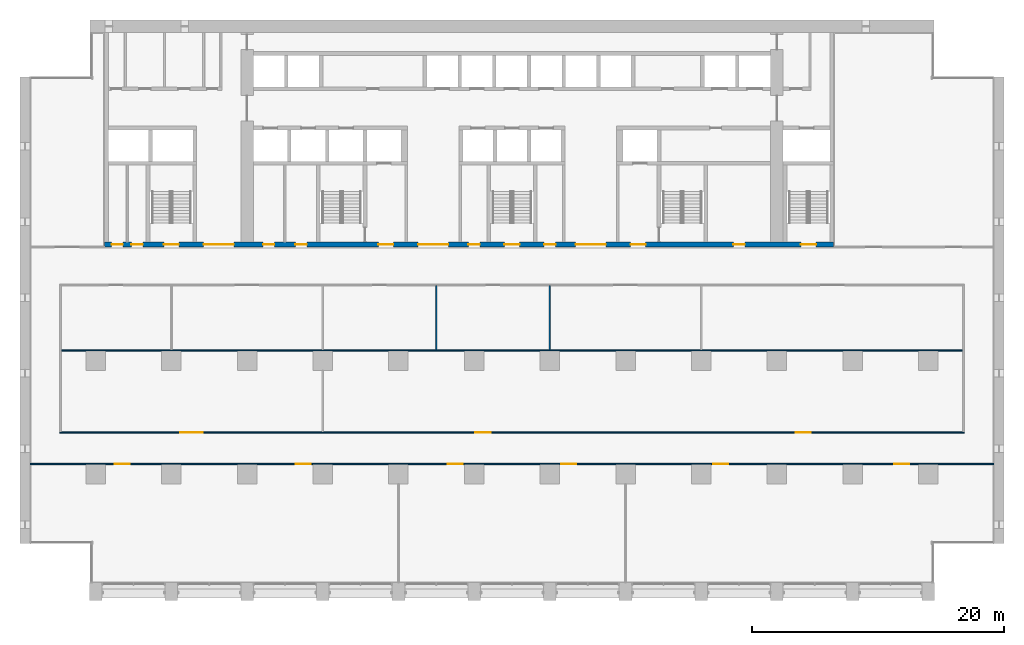
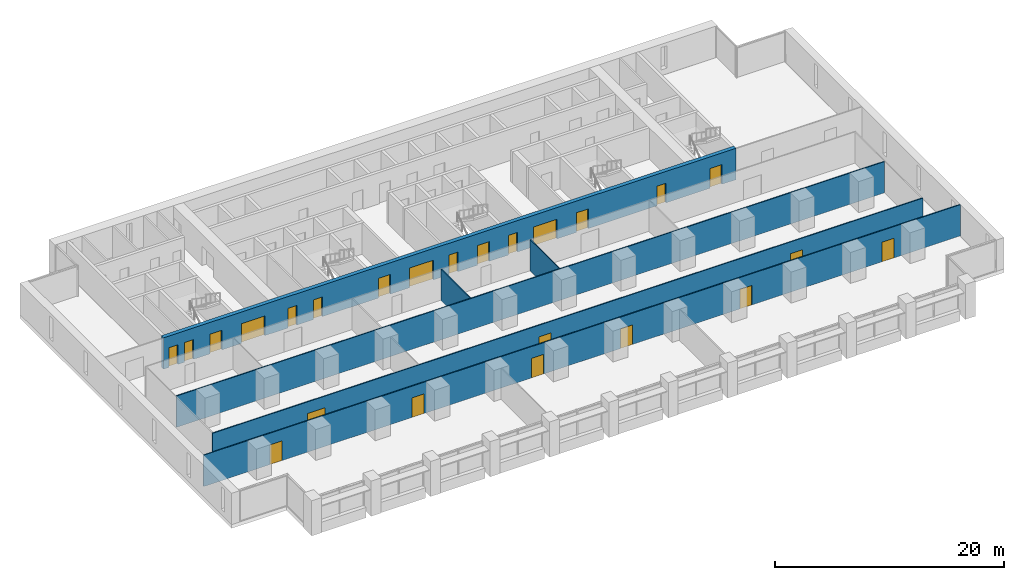
# One storey, part 9 of 17: 24 doors, 6 walls, 24 openings.
"""IFC4 building model written with IfcOpenShell, lengths in metres."""

from ifc_helpers import new_model, si_unit, direction, frame, frame_2d, origin, place, context, subcontext, project, spatial, rectangle, extrude, material, layer, layer_set, type_object, element, fill, save


model = new_model("IFC4")

# Units and contexts
model_context = context("Model", 3, precision=1e-05, world=origin(), true_north=direction((0.0, 1.0)))
body_context = subcontext(model_context, "Body", "Model", "MODEL_VIEW")
ifc_project = project(units=[si_unit("LENGTHUNIT", "METRE"), si_unit("AREAUNIT", "SQUARE_METRE"), si_unit("VOLUMEUNIT", "CUBIC_METRE"), si_unit("PLANEANGLEUNIT", "RADIAN"), si_unit("MASSUNIT", "GRAM", prefix="KILO")], contexts=[model_context])

# Site, building, storey
site_placement = place(None, origin())
site = spatial("IfcSite", under=ifc_project, at=site_placement, CompositionType="ELEMENT")
building_placement = place(site_placement, origin())
building = spatial("IfcBuilding", under=site, at=building_placement, Name="Calvaro Tower", CompositionType="ELEMENT")
storey_placement = place(building_placement, frame((0.0, 0.0, 71.25)))
storey = spatial("IfcBuildingStorey", under=building, at=storey_placement, Name="L17", CompositionType="ELEMENT", Elevation=71.25)

# Wall, openings, doors
ifc_material_1 = material(Name="Concrete C80/95", Category="concrete")
ifc_layer_1 = layer(ifc_material_1, 0.39990234375)
ifc_layer_set_1 = layer_set([ifc_layer_1], Name="Concrete C80/95")
wall_type_1 = type_object("IfcWallType", Name="Core wall C80/95 400", PredefinedType="SHEAR", material=ifc_layer_set_1)
wall_1_placement = place(storey_placement, frame((6.699951171875, 28.199951171875, 0.0), z_axis=(0.0, 0.0, 1.0), x_axis=(1.0, 0.0, 0.0)))
wall_1 = element("IfcWall", 1, at=wall_1_placement, inside=storey, type_object=wall_type_1, Name="Core wall, front", PredefinedType="SHEAR", context=body_context, shape_type="SweptSolid", body=[
    extrude(rectangle(XDim=57.800048828125, YDim=0.39990234375, at=frame_2d((28.89990234375, 0.0))), origin(), (0.0, 0.0, 1.0), 3.35009765625),
])
opening_1_placement = place(wall_1_placement, frame((12.5625, 0.0, 0.0)))
opening_1 = element("IfcOpeningElement", 2, at=opening_1_placement, cuts=wall_1, Name="Opening RD9E", PredefinedType="OPENING", context=body_context, shape_type="SweptSolid", body=[
    extrude(rectangle(XDim=0.89990234375, YDim=2.10009765625, at=frame_2d((0.449951171875, 1.050048828125))), frame((0.0, 0.2099609375, 0.0), z_axis=(0.0, -1.0, 0.0), x_axis=(1.0, 0.0, 0.0)), (0.0, 0.0, 1.0), 0.419921875),
])
opening_2_placement = place(wall_1_placement, frame((15.137451171875, 0.0, 0.0)))
opening_2 = element("IfcOpeningElement", 3, at=opening_2_placement, cuts=wall_1, Name="Opening RD9C", PredefinedType="OPENING", context=body_context, shape_type="SweptSolid", body=[
    extrude(rectangle(XDim=0.89990234375, YDim=2.10009765625, at=frame_2d((0.449951171875, 1.050048828125))), frame((0.0, 0.2099609375, 0.0), z_axis=(0.0, -1.0, 0.0), x_axis=(1.0, 0.0, 0.0)), (0.0, 0.0, 1.0), 0.419921875),
])
opening_3_placement = place(wall_1_placement, frame((49.85009765625, 0.0, 0.0)))
opening_3 = element("IfcOpeningElement", 4, at=opening_3_placement, cuts=wall_1, Name="Opening RD9E", PredefinedType="OPENING", context=body_context, shape_type="SweptSolid", body=[
    extrude(rectangle(XDim=0.89990234375, YDim=2.10009765625, at=frame_2d((0.449951171875, 1.050048828125))), frame((0.0, 0.2099609375, 0.0), z_axis=(0.0, -1.0, 0.0), x_axis=(1.0, 0.0, 0.0)), (0.0, 0.0, 1.0), 0.419921875),
])
opening_4_placement = place(wall_1_placement, frame((0.5625, 0.0, 0.0)))
opening_4 = element("IfcOpeningElement", 5, at=opening_4_placement, cuts=wall_1, Name="Opening RD9C", PredefinedType="OPENING", context=body_context, shape_type="SweptSolid", body=[
    extrude(rectangle(XDim=0.89990234375, YDim=2.10009765625, at=frame_2d((0.449951171875, 1.050048828125))), frame((0.0, 0.2099609375, 0.0), z_axis=(0.0, -1.0, 0.0), x_axis=(1.0, 0.0, 0.0)), (0.0, 0.0, 1.0), 0.419921875),
])
opening_5_placement = place(wall_1_placement, frame((2.137451171875, 0.0, 0.0)))
opening_5 = element("IfcOpeningElement", 6, at=opening_5_placement, cuts=wall_1, Name="Opening RD9E", PredefinedType="OPENING", context=body_context, shape_type="SweptSolid", body=[
    extrude(rectangle(XDim=0.89990234375, YDim=2.10009765625, at=frame_2d((0.449951171875, 1.050048828125))), frame((0.0, 0.2099609375, 0.0), z_axis=(0.0, -1.0, 0.0), x_axis=(1.0, 0.0, 0.0)), (0.0, 0.0, 1.0), 0.419921875),
])
opening_6_placement = place(wall_1_placement, frame((4.699951171875, 0.0, 0.0)))
opening_6 = element("IfcOpeningElement", 7, at=opening_6_placement, cuts=wall_1, Name="Opening SD12D", PredefinedType="OPENING", context=body_context, shape_type="SweptSolid", body=[
    extrude(rectangle(XDim=1.199951171875, YDim=2.10009765625, at=frame_2d((0.60009765625, 1.050048828125))), frame((0.0, 0.2099609375, 0.0), z_axis=(0.0, -1.0, 0.0), x_axis=(1.0, 0.0, 0.0)), (0.0, 0.0, 1.0), 0.419921875),
])
opening_7_placement = place(wall_1_placement, frame((31.699951171875, 0.0, 0.0)))
opening_7 = element("IfcOpeningElement", 8, at=opening_7_placement, cuts=wall_1, Name="Opening SD12D", PredefinedType="OPENING", context=body_context, shape_type="SweptSolid", body=[
    extrude(rectangle(XDim=1.199951171875, YDim=2.10009765625, at=frame_2d((0.60009765625, 1.050048828125))), frame((0.0, 0.2099609375, 0.0), z_axis=(0.0, -1.0, 0.0), x_axis=(1.0, 0.0, 0.0)), (0.0, 0.0, 1.0), 0.419921875),
])
opening_8_placement = place(wall_1_placement, frame((55.199951171875, 0.0, 0.0)))
opening_8 = element("IfcOpeningElement", 9, at=opening_8_placement, cuts=wall_1, Name="Opening SD12D", PredefinedType="OPENING", context=body_context, shape_type="SweptSolid", body=[
    extrude(rectangle(XDim=1.199951171875, YDim=2.10009765625, at=frame_2d((0.60009765625, 1.050048828125))), frame((0.0, 0.2099609375, 0.0), z_axis=(0.0, -1.0, 0.0), x_axis=(1.0, 0.0, 0.0)), (0.0, 0.0, 1.0), 0.419921875),
])
opening_9_placement = place(wall_1_placement, frame((21.699951171875, 0.0, 0.0)))
opening_9 = element("IfcOpeningElement", 10, at=opening_9_placement, cuts=wall_1, Name="Opening FD12F", PredefinedType="OPENING", context=body_context, shape_type="SweptSolid", body=[
    extrude(rectangle(XDim=1.199951171875, YDim=2.10009765625, at=frame_2d((0.60009765625, 1.050048828125))), frame((0.0, 0.2099609375, 0.0), z_axis=(0.0, -1.0, 0.0), x_axis=(1.0, 0.0, 0.0)), (0.0, 0.0, 1.0), 0.419921875),
])
opening_10_placement = place(wall_1_placement, frame((41.699951171875, 0.0, 0.0)))
opening_10 = element("IfcOpeningElement", 11, at=opening_10_placement, cuts=wall_1, Name="Opening FD12F", PredefinedType="OPENING", context=body_context, shape_type="SweptSolid", body=[
    extrude(rectangle(XDim=1.199951171875, YDim=2.10009765625, at=frame_2d((0.60009765625, 1.050048828125))), frame((0.0, 0.2099609375, 0.0), z_axis=(0.0, -1.0, 0.0), x_axis=(1.0, 0.0, 0.0)), (0.0, 0.0, 1.0), 0.419921875),
])
opening_11_placement = place(wall_1_placement, frame((24.85009765625, 0.0, 0.0)))
opening_11 = element("IfcOpeningElement", 12, at=opening_11_placement, cuts=wall_1, Name="Opening DD24D", PredefinedType="OPENING", context=body_context, shape_type="SweptSolid", body=[
    extrude(rectangle(XDim=2.39990234375, YDim=2.10009765625, at=frame_2d((1.199951171875, 1.050048828125))), frame((0.0, 0.2099609375, 0.0), z_axis=(0.0, -1.0, 0.0), x_axis=(1.0, 0.0, 0.0)), (0.0, 0.0, 1.0), 0.419921875),
])
opening_12_placement = place(wall_1_placement, frame((37.35009765625, 0.0, 0.0)))
opening_12 = element("IfcOpeningElement", 13, at=opening_12_placement, cuts=wall_1, Name="Opening DD24D", PredefinedType="OPENING", context=body_context, shape_type="SweptSolid", body=[
    extrude(rectangle(XDim=2.39990234375, YDim=2.10009765625, at=frame_2d((1.199951171875, 1.050048828125))), frame((0.0, 0.2099609375, 0.0), z_axis=(0.0, -1.0, 0.0), x_axis=(1.0, 0.0, 0.0)), (0.0, 0.0, 1.0), 0.419921875),
])
opening_13_placement = place(wall_1_placement, frame((7.85009765625, 0.0, 0.0)))
opening_13 = element("IfcOpeningElement", 14, at=opening_13_placement, cuts=wall_1, Name="Opening DD24D", PredefinedType="OPENING", context=body_context, shape_type="SweptSolid", body=[
    extrude(rectangle(XDim=2.39990234375, YDim=2.10009765625, at=frame_2d((1.199951171875, 1.050048828125))), frame((0.0, 0.2099609375, 0.0), z_axis=(0.0, -1.0, 0.0), x_axis=(1.0, 0.0, 0.0)), (0.0, 0.0, 1.0), 0.419921875),
])
opening_14_placement = place(wall_1_placement, frame((28.85009765625, 0.0, 0.0)))
opening_14 = element("IfcOpeningElement", 15, at=opening_14_placement, cuts=wall_1, Name="Opening RD9E", PredefinedType="OPENING", context=body_context, shape_type="SweptSolid", body=[
    extrude(rectangle(XDim=0.89990234375, YDim=2.10009765625, at=frame_2d((0.449951171875, 1.050048828125))), frame((0.0, 0.2099609375, 0.0), z_axis=(0.0, -1.0, 0.0), x_axis=(1.0, 0.0, 0.0)), (0.0, 0.0, 1.0), 0.419921875),
])
opening_15_placement = place(wall_1_placement, frame((34.85009765625, 0.0, 0.0)))
opening_15 = element("IfcOpeningElement", 16, at=opening_15_placement, cuts=wall_1, Name="Opening RD9E", PredefinedType="OPENING", context=body_context, shape_type="SweptSolid", body=[
    extrude(rectangle(XDim=0.89990234375, YDim=2.10009765625, at=frame_2d((0.449951171875, 1.050048828125))), frame((0.0, 0.2099609375, 0.0), z_axis=(0.0, -1.0, 0.0), x_axis=(1.0, 0.0, 0.0)), (0.0, 0.0, 1.0), 0.419921875),
])
ifc_material_2 = material(Name="Steel door set", Category="steel")
door_type_1 = type_object("IfcDoorType", Name="Fire door 1200 FD60S", OperationType="SINGLE_SWING_LEFT", PredefinedType="DOOR", material=ifc_material_2)
door_1_placement = place(opening_9_placement, origin())
door_1 = element("IfcDoor", 17, at=door_1_placement, inside=storey, type_object=door_type_1, Name="Fire door", OperationType="SINGLE_SWING_LEFT", OverallHeight=2.10009765625, OverallWidth=1.199951171875, PredefinedType="DOOR", context=body_context, shape_type="SweptSolid", body=[
    extrude(rectangle(XDim=1.199951171875, YDim=2.10009765625, at=frame_2d((0.60009765625, 1.050048828125))), frame((0.0, 0.02490234375, 0.0), z_axis=(0.0, -1.0, 0.0), x_axis=(1.0, 0.0, 0.0)), (0.0, 0.0, 1.0), 0.050048828125),
])
fill(opening_9, door_1)
door_2_placement = place(opening_10_placement, origin())
door_2 = element("IfcDoor", 18, at=door_2_placement, inside=storey, type_object=door_type_1, Name="Fire door", OperationType="SINGLE_SWING_LEFT", OverallHeight=2.10009765625, OverallWidth=1.199951171875, PredefinedType="DOOR", context=body_context, shape_type="SweptSolid", body=[
    extrude(rectangle(XDim=1.199951171875, YDim=2.10009765625, at=frame_2d((0.60009765625, 1.050048828125))), frame((0.0, 0.02490234375, 0.0), z_axis=(0.0, -1.0, 0.0), x_axis=(1.0, 0.0, 0.0)), (0.0, 0.0, 1.0), 0.050048828125),
])
fill(opening_10, door_2)
ifc_material_3 = material(Name="Steel door set", Category="steel")
door_type_2 = type_object("IfcDoorType", Name="Lobby double door 2400 FD30S", OperationType="DOUBLE_DOOR_SINGLE_SWING", PredefinedType="DOOR", material=ifc_material_3)
door_3_placement = place(opening_11_placement, origin())
door_3 = element("IfcDoor", 19, at=door_3_placement, inside=storey, type_object=door_type_2, Name="Lobby double door", OperationType="DOUBLE_DOOR_SINGLE_SWING", OverallHeight=2.10009765625, OverallWidth=2.39990234375, PredefinedType="DOOR", context=body_context, shape_type="SweptSolid", body=[
    extrude(rectangle(XDim=2.39990234375, YDim=2.10009765625, at=frame_2d((1.199951171875, 1.050048828125))), frame((0.0, 0.02490234375, 0.0), z_axis=(0.0, -1.0, 0.0), x_axis=(1.0, 0.0, 0.0)), (0.0, 0.0, 1.0), 0.050048828125),
])
fill(opening_11, door_3)
door_4_placement = place(opening_12_placement, origin())
door_4 = element("IfcDoor", 20, at=door_4_placement, inside=storey, type_object=door_type_2, Name="Lobby double door", OperationType="DOUBLE_DOOR_SINGLE_SWING", OverallHeight=2.10009765625, OverallWidth=2.39990234375, PredefinedType="DOOR", context=body_context, shape_type="SweptSolid", body=[
    extrude(rectangle(XDim=2.39990234375, YDim=2.10009765625, at=frame_2d((1.199951171875, 1.050048828125))), frame((0.0, 0.02490234375, 0.0), z_axis=(0.0, -1.0, 0.0), x_axis=(1.0, 0.0, 0.0)), (0.0, 0.0, 1.0), 0.050048828125),
])
fill(opening_12, door_4)
door_5_placement = place(opening_13_placement, origin())
door_5 = element("IfcDoor", 21, at=door_5_placement, inside=storey, type_object=door_type_2, Name="Lobby double door", OperationType="DOUBLE_DOOR_SINGLE_SWING", OverallHeight=2.10009765625, OverallWidth=2.39990234375, PredefinedType="DOOR", context=body_context, shape_type="SweptSolid", body=[
    extrude(rectangle(XDim=2.39990234375, YDim=2.10009765625, at=frame_2d((1.199951171875, 1.050048828125))), frame((0.0, 0.02490234375, 0.0), z_axis=(0.0, -1.0, 0.0), x_axis=(1.0, 0.0, 0.0)), (0.0, 0.0, 1.0), 0.050048828125),
])
fill(opening_13, door_5)
ifc_material_4 = material(Name="Steel door set", Category="steel")
door_type_3 = type_object("IfcDoorType", Name="Room door 900 FD30", OperationType="SINGLE_SWING_LEFT", PredefinedType="DOOR", material=ifc_material_4)
door_6_placement = place(opening_2_placement, origin())
door_6 = element("IfcDoor", 22, at=door_6_placement, inside=storey, type_object=door_type_3, Name="Room door", OperationType="SINGLE_SWING_RIGHT", OverallHeight=2.10009765625, OverallWidth=0.89990234375, PredefinedType="DOOR", context=body_context, shape_type="SweptSolid", body=[
    extrude(rectangle(XDim=0.89990234375, YDim=2.10009765625, at=frame_2d((0.449951171875, 1.050048828125))), frame((0.0, 0.02490234375, 0.0), z_axis=(0.0, -1.0, 0.0), x_axis=(1.0, 0.0, 0.0)), (0.0, 0.0, 1.0), 0.050048828125),
])
fill(opening_2, door_6)
door_7_placement = place(opening_4_placement, origin())
door_7 = element("IfcDoor", 23, at=door_7_placement, inside=storey, type_object=door_type_3, Name="Room door", OperationType="SINGLE_SWING_LEFT", OverallHeight=2.10009765625, OverallWidth=0.89990234375, PredefinedType="DOOR", context=body_context, shape_type="SweptSolid", body=[
    extrude(rectangle(XDim=0.89990234375, YDim=2.10009765625, at=frame_2d((0.449951171875, 1.050048828125))), frame((0.0, 0.02490234375, 0.0), z_axis=(0.0, -1.0, 0.0), x_axis=(1.0, 0.0, 0.0)), (0.0, 0.0, 1.0), 0.050048828125),
])
fill(opening_4, door_7)
ifc_material_5 = material(Name="Steel door set", Category="steel")
door_type_4 = type_object("IfcDoorType", Name="Room door 900 FD60", OperationType="SINGLE_SWING_LEFT", PredefinedType="DOOR", material=ifc_material_5)
door_8_placement = place(opening_1_placement, origin())
door_8 = element("IfcDoor", 24, at=door_8_placement, inside=storey, type_object=door_type_4, Name="Room door", OperationType="SINGLE_SWING_LEFT", OverallHeight=2.10009765625, OverallWidth=0.89990234375, PredefinedType="DOOR", context=body_context, shape_type="SweptSolid", body=[
    extrude(rectangle(XDim=0.89990234375, YDim=2.10009765625, at=frame_2d((0.449951171875, 1.050048828125))), frame((0.0, 0.02490234375, 0.0), z_axis=(0.0, -1.0, 0.0), x_axis=(1.0, 0.0, 0.0)), (0.0, 0.0, 1.0), 0.050048828125),
])
fill(opening_1, door_8)
door_9_placement = place(opening_3_placement, origin())
door_9 = element("IfcDoor", 25, at=door_9_placement, inside=storey, type_object=door_type_4, Name="Room door", OperationType="SINGLE_SWING_LEFT", OverallHeight=2.10009765625, OverallWidth=0.89990234375, PredefinedType="DOOR", context=body_context, shape_type="SweptSolid", body=[
    extrude(rectangle(XDim=0.89990234375, YDim=2.10009765625, at=frame_2d((0.449951171875, 1.050048828125))), frame((0.0, 0.02490234375, 0.0), z_axis=(0.0, -1.0, 0.0), x_axis=(1.0, 0.0, 0.0)), (0.0, 0.0, 1.0), 0.050048828125),
])
fill(opening_3, door_9)
door_10_placement = place(opening_5_placement, origin())
door_10 = element("IfcDoor", 26, at=door_10_placement, inside=storey, type_object=door_type_4, Name="Room door", OperationType="SINGLE_SWING_LEFT", OverallHeight=2.10009765625, OverallWidth=0.89990234375, PredefinedType="DOOR", context=body_context, shape_type="SweptSolid", body=[
    extrude(rectangle(XDim=0.89990234375, YDim=2.10009765625, at=frame_2d((0.449951171875, 1.050048828125))), frame((0.0, 0.02490234375, 0.0), z_axis=(0.0, -1.0, 0.0), x_axis=(1.0, 0.0, 0.0)), (0.0, 0.0, 1.0), 0.050048828125),
])
fill(opening_5, door_10)
door_11_placement = place(opening_14_placement, origin())
door_11 = element("IfcDoor", 27, at=door_11_placement, inside=storey, type_object=door_type_4, Name="Room door", OperationType="SINGLE_SWING_LEFT", OverallHeight=2.10009765625, OverallWidth=0.89990234375, PredefinedType="DOOR", context=body_context, shape_type="SweptSolid", body=[
    extrude(rectangle(XDim=0.89990234375, YDim=2.10009765625, at=frame_2d((0.449951171875, 1.050048828125))), frame((0.0, 0.02490234375, 0.0), z_axis=(0.0, -1.0, 0.0), x_axis=(1.0, 0.0, 0.0)), (0.0, 0.0, 1.0), 0.050048828125),
])
fill(opening_14, door_11)
door_12_placement = place(opening_15_placement, origin())
door_12 = element("IfcDoor", 28, at=door_12_placement, inside=storey, type_object=door_type_4, Name="Room door", OperationType="SINGLE_SWING_LEFT", OverallHeight=2.10009765625, OverallWidth=0.89990234375, PredefinedType="DOOR", context=body_context, shape_type="SweptSolid", body=[
    extrude(rectangle(XDim=0.89990234375, YDim=2.10009765625, at=frame_2d((0.449951171875, 1.050048828125))), frame((0.0, 0.02490234375, 0.0), z_axis=(0.0, -1.0, 0.0), x_axis=(1.0, 0.0, 0.0)), (0.0, 0.0, 1.0), 0.050048828125),
])
fill(opening_15, door_12)
ifc_material_6 = material(Name="Steel door set", Category="steel")
door_type_5 = type_object("IfcDoorType", Name="Stair door 1200 FD30S", OperationType="SINGLE_SWING_LEFT", PredefinedType="DOOR", material=ifc_material_6)
door_13_placement = place(opening_6_placement, origin())
door_13 = element("IfcDoor", 29, at=door_13_placement, inside=storey, type_object=door_type_5, Name="Stair door", OperationType="SINGLE_SWING_LEFT", OverallHeight=2.10009765625, OverallWidth=1.199951171875, PredefinedType="DOOR", context=body_context, shape_type="SweptSolid", body=[
    extrude(rectangle(XDim=1.199951171875, YDim=2.10009765625, at=frame_2d((0.60009765625, 1.050048828125))), frame((0.0, 0.02490234375, 0.0), z_axis=(0.0, -1.0, 0.0), x_axis=(1.0, 0.0, 0.0)), (0.0, 0.0, 1.0), 0.050048828125),
])
fill(opening_6, door_13)
door_14_placement = place(opening_7_placement, origin())
door_14 = element("IfcDoor", 30, at=door_14_placement, inside=storey, type_object=door_type_5, Name="Stair door", OperationType="SINGLE_SWING_LEFT", OverallHeight=2.10009765625, OverallWidth=1.199951171875, PredefinedType="DOOR", context=body_context, shape_type="SweptSolid", body=[
    extrude(rectangle(XDim=1.199951171875, YDim=2.10009765625, at=frame_2d((0.60009765625, 1.050048828125))), frame((0.0, 0.02490234375, 0.0), z_axis=(0.0, -1.0, 0.0), x_axis=(1.0, 0.0, 0.0)), (0.0, 0.0, 1.0), 0.050048828125),
])
fill(opening_7, door_14)
door_15_placement = place(opening_8_placement, origin())
door_15 = element("IfcDoor", 31, at=door_15_placement, inside=storey, type_object=door_type_5, Name="Stair door", OperationType="SINGLE_SWING_LEFT", OverallHeight=2.10009765625, OverallWidth=1.199951171875, PredefinedType="DOOR", context=body_context, shape_type="SweptSolid", body=[
    extrude(rectangle(XDim=1.199951171875, YDim=2.10009765625, at=frame_2d((0.60009765625, 1.050048828125))), frame((0.0, 0.02490234375, 0.0), z_axis=(0.0, -1.0, 0.0), x_axis=(1.0, 0.0, 0.0)), (0.0, 0.0, 1.0), 0.050048828125),
])
fill(opening_8, door_15)

ifc_material_7 = material(Name="Plasterboard on steel studs", Category="steel")
ifc_layer_2 = layer(ifc_material_7, 0.10009765625)
ifc_layer_set_2 = layer_set([ifc_layer_2], Name="Plasterboard on steel studs")
wall_type_2 = type_object("IfcWallType", Name="Partition 100", PredefinedType="PARTITIONING", material=ifc_layer_set_2)
wall_2_placement = place(storey_placement, frame((0.800048828125, 10.800048828125, 0.0), z_axis=(0.0, 0.0, 1.0), x_axis=(1.0, 0.0, 0.0)))
wall_2 = element("IfcWall", 32, at=wall_2_placement, inside=storey, type_object=wall_type_2, Name="Partition T13.W001", PredefinedType="PARTITIONING", context=body_context, shape_type="SweptSolid", body=[
    extrude(rectangle(XDim=76.39990234375, YDim=0.10009765625, at=frame_2d((38.199951171875, 0.0))), origin(), (0.0, 0.0, 1.0), 3.35009765625),
])
opening_16_placement = place(wall_2_placement, frame((33.10009765625, 0.0, 0.0)))
opening_16 = element("IfcOpeningElement", 33, at=opening_16_placement, cuts=wall_2, Name="Opening T13.001", PredefinedType="OPENING", context=body_context, shape_type="SweptSolid", body=[
    extrude(rectangle(XDim=1.199951171875, YDim=2.10009765625, at=frame_2d((0.60009765625, 1.050048828125))), frame((0.0, 0.06005859375, 0.0), z_axis=(0.0, -1.0, 0.0), x_axis=(1.0, 0.0, 0.0)), (0.0, 0.0, 1.0), 0.1201171875),
])
opening_17_placement = place(wall_2_placement, frame((42.10009765625, 0.0, 0.0)))
opening_17 = element("IfcOpeningElement", 34, at=opening_17_placement, cuts=wall_2, Name="Opening T13.002", PredefinedType="OPENING", context=body_context, shape_type="SweptSolid", body=[
    extrude(rectangle(XDim=1.199951171875, YDim=2.10009765625, at=frame_2d((0.60009765625, 1.050048828125))), frame((0.0, 0.06005859375, 0.0), z_axis=(0.0, -1.0, 0.0), x_axis=(1.0, 0.0, 0.0)), (0.0, 0.0, 1.0), 0.1201171875),
])
opening_18_placement = place(wall_2_placement, frame((6.699951171875, 0.0, 0.0)))
opening_18 = element("IfcOpeningElement", 35, at=opening_18_placement, cuts=wall_2, Name="Opening T13.003", PredefinedType="OPENING", context=body_context, shape_type="SweptSolid", body=[
    extrude(rectangle(XDim=1.199951171875, YDim=2.10009765625, at=frame_2d((0.60009765625, 1.050048828125))), frame((0.0, 0.06005859375, 0.0), z_axis=(0.0, -1.0, 0.0), x_axis=(1.0, 0.0, 0.0)), (0.0, 0.0, 1.0), 0.1201171875),
])
opening_19_placement = place(wall_2_placement, frame((21.050048828125, 0.0, 0.0)))
opening_19 = element("IfcOpeningElement", 36, at=opening_19_placement, cuts=wall_2, Name="Opening T13.004", PredefinedType="OPENING", context=body_context, shape_type="SweptSolid", body=[
    extrude(rectangle(XDim=1.199951171875, YDim=2.10009765625, at=frame_2d((0.60009765625, 1.050048828125))), frame((0.0, 0.06005859375, 0.0), z_axis=(0.0, -1.0, 0.0), x_axis=(1.0, 0.0, 0.0)), (0.0, 0.0, 1.0), 0.1201171875),
])
opening_20_placement = place(wall_2_placement, frame((54.14990234375, 0.0, 0.0)))
opening_20 = element("IfcOpeningElement", 37, at=opening_20_placement, cuts=wall_2, Name="Opening T13.005", PredefinedType="OPENING", context=body_context, shape_type="SweptSolid", body=[
    extrude(rectangle(XDim=1.199951171875, YDim=2.10009765625, at=frame_2d((0.60009765625, 1.050048828125))), frame((0.0, 0.06005859375, 0.0), z_axis=(0.0, -1.0, 0.0), x_axis=(1.0, 0.0, 0.0)), (0.0, 0.0, 1.0), 0.1201171875),
])
opening_21_placement = place(wall_2_placement, frame((68.5, 0.0, 0.0)))
opening_21 = element("IfcOpeningElement", 38, at=opening_21_placement, cuts=wall_2, Name="Opening T13.006", PredefinedType="OPENING", context=body_context, shape_type="SweptSolid", body=[
    extrude(rectangle(XDim=1.199951171875, YDim=2.10009765625, at=frame_2d((0.60009765625, 1.050048828125))), frame((0.0, 0.06005859375, 0.0), z_axis=(0.0, -1.0, 0.0), x_axis=(1.0, 0.0, 0.0)), (0.0, 0.0, 1.0), 0.1201171875),
])
ifc_material_8 = material(Name="Timber", Category="wood")
door_type_6 = type_object("IfcDoorType", Name="Internal single door 1200 x 2100", OperationType="SINGLE_SWING_LEFT", PredefinedType="DOOR", material=ifc_material_8)
door_16_placement = place(opening_16_placement, origin())
door_16 = element("IfcDoor", 39, at=door_16_placement, inside=storey, type_object=door_type_6, Name="Door T13.001", OperationType="SINGLE_SWING_LEFT", OverallHeight=2.10009765625, OverallWidth=1.199951171875, PredefinedType="DOOR", context=body_context, shape_type="SweptSolid", body=[
    extrude(rectangle(XDim=1.199951171875, YDim=2.10009765625, at=frame_2d((0.60009765625, 1.050048828125))), frame((0.0, 0.02490234375, 0.0), z_axis=(0.0, -1.0, 0.0), x_axis=(1.0, 0.0, 0.0)), (0.0, 0.0, 1.0), 0.050048828125),
])
fill(opening_16, door_16)
door_17_placement = place(opening_17_placement, origin())
door_17 = element("IfcDoor", 40, at=door_17_placement, inside=storey, type_object=door_type_6, Name="Door T13.002", OperationType="SINGLE_SWING_RIGHT", OverallHeight=2.10009765625, OverallWidth=1.199951171875, PredefinedType="DOOR", context=body_context, shape_type="SweptSolid", body=[
    extrude(rectangle(XDim=1.199951171875, YDim=2.10009765625, at=frame_2d((0.60009765625, 1.050048828125))), frame((0.0, 0.02490234375, 0.0), z_axis=(0.0, -1.0, 0.0), x_axis=(1.0, 0.0, 0.0)), (0.0, 0.0, 1.0), 0.050048828125),
])
fill(opening_17, door_17)
door_18_placement = place(opening_18_placement, origin())
door_18 = element("IfcDoor", 41, at=door_18_placement, inside=storey, type_object=door_type_6, Name="Door T13.003", OperationType="SINGLE_SWING_LEFT", OverallHeight=2.10009765625, OverallWidth=1.199951171875, PredefinedType="DOOR", context=body_context, shape_type="SweptSolid", body=[
    extrude(rectangle(XDim=1.199951171875, YDim=2.10009765625, at=frame_2d((0.60009765625, 1.050048828125))), frame((0.0, 0.02490234375, 0.0), z_axis=(0.0, -1.0, 0.0), x_axis=(1.0, 0.0, 0.0)), (0.0, 0.0, 1.0), 0.050048828125),
])
fill(opening_18, door_18)
door_19_placement = place(opening_19_placement, origin())
door_19 = element("IfcDoor", 42, at=door_19_placement, inside=storey, type_object=door_type_6, Name="Door T13.004", OperationType="SINGLE_SWING_LEFT", OverallHeight=2.10009765625, OverallWidth=1.199951171875, PredefinedType="DOOR", context=body_context, shape_type="SweptSolid", body=[
    extrude(rectangle(XDim=1.199951171875, YDim=2.10009765625, at=frame_2d((0.60009765625, 1.050048828125))), frame((0.0, 0.02490234375, 0.0), z_axis=(0.0, -1.0, 0.0), x_axis=(1.0, 0.0, 0.0)), (0.0, 0.0, 1.0), 0.050048828125),
])
fill(opening_19, door_19)
door_20_placement = place(opening_20_placement, origin())
door_20 = element("IfcDoor", 43, at=door_20_placement, inside=storey, type_object=door_type_6, Name="Door T13.005", OperationType="SINGLE_SWING_RIGHT", OverallHeight=2.10009765625, OverallWidth=1.199951171875, PredefinedType="DOOR", context=body_context, shape_type="SweptSolid", body=[
    extrude(rectangle(XDim=1.199951171875, YDim=2.10009765625, at=frame_2d((0.60009765625, 1.050048828125))), frame((0.0, 0.02490234375, 0.0), z_axis=(0.0, -1.0, 0.0), x_axis=(1.0, 0.0, 0.0)), (0.0, 0.0, 1.0), 0.050048828125),
])
fill(opening_20, door_20)
door_21_placement = place(opening_21_placement, origin())
door_21 = element("IfcDoor", 44, at=door_21_placement, inside=storey, type_object=door_type_6, Name="Door T13.006", OperationType="SINGLE_SWING_RIGHT", OverallHeight=2.10009765625, OverallWidth=1.199951171875, PredefinedType="DOOR", context=body_context, shape_type="SweptSolid", body=[
    extrude(rectangle(XDim=1.199951171875, YDim=2.10009765625, at=frame_2d((0.60009765625, 1.050048828125))), frame((0.0, 0.02490234375, 0.0), z_axis=(0.0, -1.0, 0.0), x_axis=(1.0, 0.0, 0.0)), (0.0, 0.0, 1.0), 0.050048828125),
])
fill(opening_21, door_21)

wall_3_placement = place(storey_placement, frame((3.14990234375, 13.300048828125, 0.0), z_axis=(0.0, 0.0, 1.0), x_axis=(1.0, 0.0, 0.0)))
wall_3 = element("IfcWall", 45, at=wall_3_placement, inside=storey, type_object=wall_type_2, Name="Partition T13.W002", PredefinedType="PARTITIONING", context=body_context, shape_type="SweptSolid", body=[
    extrude(rectangle(XDim=71.7001953125, YDim=0.10009765625, at=frame_2d((35.85009765625, 0.0))), origin(), (0.0, 0.0, 1.0), 3.35009765625),
])
opening_22_placement = place(wall_3_placement, frame((9.550048828125, 0.0, 0.0)))
opening_22 = element("IfcOpeningElement", 46, at=opening_22_placement, cuts=wall_3, Name="Opening T13.007", PredefinedType="OPENING", context=body_context, shape_type="SweptSolid", body=[
    extrude(rectangle(XDim=1.800048828125, YDim=2.10009765625, at=frame_2d((0.89990234375, 1.050048828125))), frame((0.0, 0.06005859375, 0.0), z_axis=(0.0, -1.0, 0.0), x_axis=(1.0, 0.0, 0.0)), (0.0, 0.0, 1.0), 0.1201171875),
])
opening_23_placement = place(wall_3_placement, frame((32.949951171875, 0.0, 0.0)))
opening_23 = element("IfcOpeningElement", 47, at=opening_23_placement, cuts=wall_3, Name="Opening T13.008", PredefinedType="OPENING", context=body_context, shape_type="SweptSolid", body=[
    extrude(rectangle(XDim=1.199951171875, YDim=2.10009765625, at=frame_2d((0.60009765625, 1.050048828125))), frame((0.0, 0.06005859375, 0.0), z_axis=(0.0, -1.0, 0.0), x_axis=(1.0, 0.0, 0.0)), (0.0, 0.0, 1.0), 0.1201171875),
])
opening_24_placement = place(wall_3_placement, frame((58.35009765625, 0.0, 0.0)))
opening_24 = element("IfcOpeningElement", 48, at=opening_24_placement, cuts=wall_3, Name="Opening T13.009", PredefinedType="OPENING", context=body_context, shape_type="SweptSolid", body=[
    extrude(rectangle(XDim=1.199951171875, YDim=2.10009765625, at=frame_2d((0.60009765625, 1.050048828125))), frame((0.0, 0.06005859375, 0.0), z_axis=(0.0, -1.0, 0.0), x_axis=(1.0, 0.0, 0.0)), (0.0, 0.0, 1.0), 0.1201171875),
])
ifc_material_9 = material(Name="Timber", Category="wood")
door_type_7 = type_object("IfcDoorType", Name="Internal double door 1800 x 2100", OperationType="DOUBLE_DOOR_SINGLE_SWING", PredefinedType="DOOR", material=ifc_material_9)
door_22_placement = place(opening_22_placement, origin())
door_22 = element("IfcDoor", 49, at=door_22_placement, inside=storey, type_object=door_type_7, Name="Door T13.007", OperationType="DOUBLE_DOOR_SINGLE_SWING", OverallHeight=2.10009765625, OverallWidth=1.800048828125, PredefinedType="DOOR", context=body_context, shape_type="SweptSolid", body=[
    extrude(rectangle(XDim=1.800048828125, YDim=2.10009765625, at=frame_2d((0.89990234375, 1.050048828125))), frame((0.0, 0.02490234375, 0.0), z_axis=(0.0, -1.0, 0.0), x_axis=(1.0, 0.0, 0.0)), (0.0, 0.0, 1.0), 0.050048828125),
])
fill(opening_22, door_22)
door_23_placement = place(opening_23_placement, origin())
door_23 = element("IfcDoor", 50, at=door_23_placement, inside=storey, type_object=door_type_6, Name="Door T13.008", OperationType="SINGLE_SWING_LEFT", OverallHeight=2.10009765625, OverallWidth=1.199951171875, PredefinedType="DOOR", context=body_context, shape_type="SweptSolid", body=[
    extrude(rectangle(XDim=1.199951171875, YDim=2.10009765625, at=frame_2d((0.60009765625, 1.050048828125))), frame((0.0, 0.02490234375, 0.0), z_axis=(0.0, -1.0, 0.0), x_axis=(1.0, 0.0, 0.0)), (0.0, 0.0, 1.0), 0.050048828125),
])
fill(opening_23, door_23)
door_24_placement = place(opening_24_placement, origin())
door_24 = element("IfcDoor", 51, at=door_24_placement, inside=storey, type_object=door_type_6, Name="Door T13.009", OperationType="SINGLE_SWING_RIGHT", OverallHeight=2.10009765625, OverallWidth=1.199951171875, PredefinedType="DOOR", context=body_context, shape_type="SweptSolid", body=[
    extrude(rectangle(XDim=1.199951171875, YDim=2.10009765625, at=frame_2d((0.60009765625, 1.050048828125))), frame((0.0, 0.02490234375, 0.0), z_axis=(0.0, -1.0, 0.0), x_axis=(1.0, 0.0, 0.0)), (0.0, 0.0, 1.0), 0.050048828125),
])
fill(opening_24, door_24)

# Walls
ifc_material_10 = material(Name="Plasterboard on steel studs", Category="steel")
ifc_layer_3 = layer(ifc_material_10, 0.10009765625)
ifc_layer_set_3 = layer_set([ifc_layer_3], Name="Plasterboard on steel studs")
wall_type_3 = type_object("IfcWallType", Name="Partition 100 REI 120", PredefinedType="PARTITIONING", material=ifc_layer_set_3)
wall_4_placement = place(storey_placement, frame((3.25, 19.800048828125, 0.0), z_axis=(0.0, 0.0, 1.0), x_axis=(1.0, 0.0, 0.0)))
element("IfcWall", 52, at=wall_4_placement, inside=storey, type_object=wall_type_3, Name="Partition T13.W003", PredefinedType="PARTITIONING", context=body_context, shape_type="SweptSolid", body=[
    extrude(rectangle(XDim=71.5, YDim=0.10009765625, at=frame_2d((35.75, 0.0))), origin(), (0.0, 0.0, 1.0), 3.35009765625),
])
for number, where, z_axis, x_axis, name in (
    (53, (33.0, 19.85009765625, 0.0), (0.0, 0.0, 1.0), (0.0, 1.0, 0.0), "Partition T13.W012"),
    (54, (42.0, 19.85009765625, 0.0), (0.0, 0.0, 1.0), (0.0, 1.0, 0.0), "Partition T13.W013"),
):
    element("IfcWall", number, at=place(storey_placement, frame(where, z_axis=z_axis, x_axis=x_axis)), inside=storey, type_object=wall_type_3, Name=name, PredefinedType="PARTITIONING", context=body_context, shape_type="SweptSolid", body=[
        extrude(rectangle(XDim=5.099853515625, YDim=0.10009765625, at=frame_2d((2.5498046875, 0.0))), origin(), (0.0, 0.0, 1.0), 3.35009765625),
    ])

save(model, "model.ifc")
